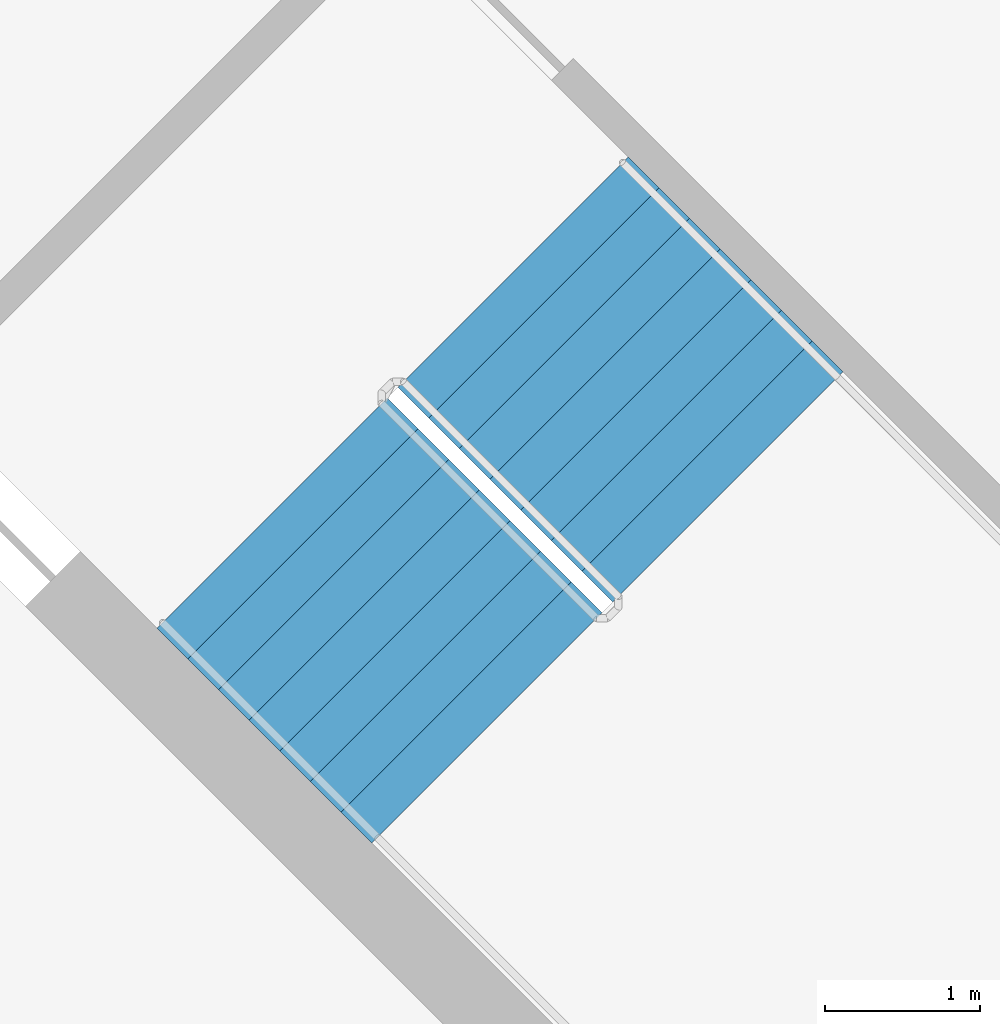
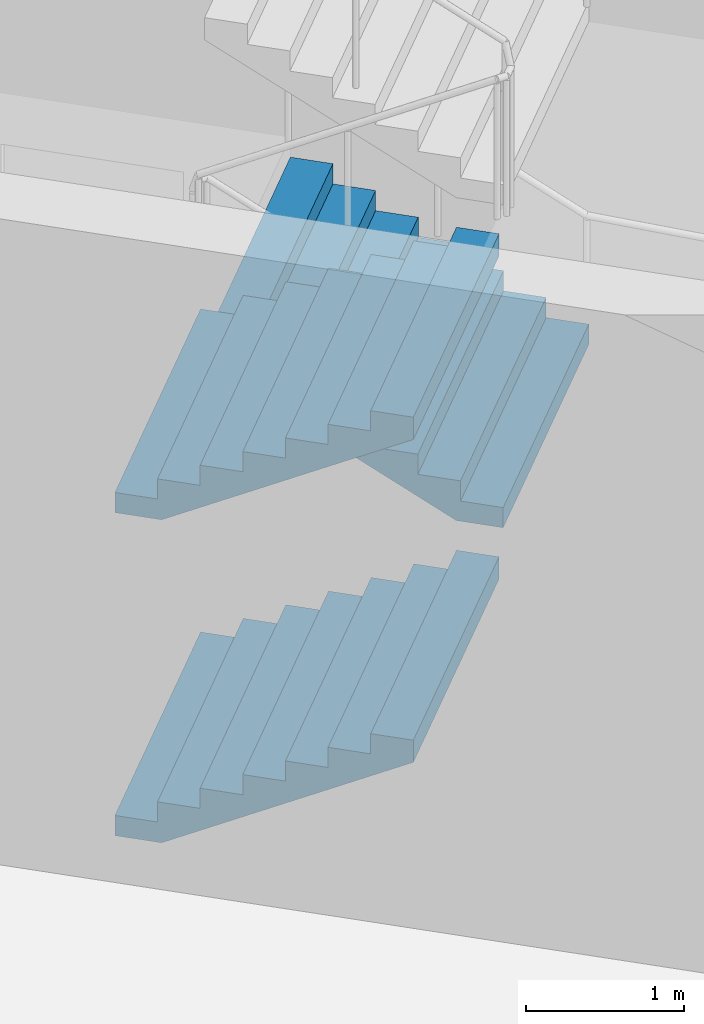
# One storey, part 12 of 17: 3 stair flights, 1 element without a shape of its own.
"""IFC4 building model written with IfcOpenShell, lengths in metres."""

from ifc_helpers import new_model, si_unit, direction, frame, origin, place, context, subcontext, project, spatial, triangles, material, type_object, element, aggregate, save


model = new_model("IFC4")

# Units and contexts
model_context = context("Model", 3, precision=1e-05, world=origin(), true_north=direction((0.0, 1.0)))
body_context = subcontext(model_context, "Body", "Model", "MODEL_VIEW")
ifc_project = project(units=[si_unit("LENGTHUNIT", "METRE"), si_unit("AREAUNIT", "SQUARE_METRE"), si_unit("VOLUMEUNIT", "CUBIC_METRE"), si_unit("PLANEANGLEUNIT", "RADIAN"), si_unit("MASSUNIT", "GRAM", prefix="KILO")], contexts=[model_context])

# Site, building, storey
site_placement = place(None, origin())
site = spatial("IfcSite", under=ifc_project, at=site_placement, CompositionType="ELEMENT")
building_placement = place(site_placement, origin())
building = spatial("IfcBuilding", under=site, at=building_placement, Name="Verdalira Terraces Hotel", CompositionType="ELEMENT")
storey_placement = place(building_placement, frame((0.0, 0.0, 222.0)))
storey = spatial("IfcBuildingStorey", under=building, at=storey_placement, Name="L54", CompositionType="ELEMENT", Elevation=222.0)

# Stair, stair flights
ifc_material_1 = material(Name="Concrete C40", Category="concrete")
stair_type = type_object("IfcStairType", Name="Core stair 32 risers 2100 mm wide", PredefinedType="HALF_TURN_STAIR", material=ifc_material_1)
stair_placement = place(storey_placement, origin())
stair = element("IfcStair", 1, at=stair_placement, inside=storey, type_object=stair_type, Name="L54 Exit stair ST2", PredefinedType="HALF_TURN_STAIR")
ifc_material_2 = material(Name="Concrete C40", Category="concrete")
stair_flight_type = type_object("IfcStairFlightType", Name="Core stair flight 32 risers 2100 mm wide", PredefinedType="STRAIGHT", material=ifc_material_2)
stair_flight_1_placement = place(storey_placement, frame((-10.076172, -7.530762, 0.0), z_axis=(0.0, 0.0, 1.0), x_axis=(0.707106781, -0.707106781, 0.0)))
stair_flight_1 = element("IfcStairFlight", 2, at=stair_flight_1_placement, type_object=stair_flight_type, Name="ST2 flight 1", NumberOfRisers=8, NumberOfTreads=7, PredefinedType="STRAIGHT", RiserHeight=0.15625, TreadLength=0.28, context=body_context, shape_type="Tessellation", body=[
    triangles([(0.0, 1.050049, 0.0), (0.307617, 1.050049, 0.0), (1.959961, 1.050049, 0.922119), (0.0, -1.050049, 0.0), (0.307617, -1.050049, 0.0), (1.959961, -1.050049, 0.922119), (1.959961, 1.050049, 1.09375), (1.679932, 1.050049, 1.09375), (1.959961, -1.050049, 1.09375), (1.679932, -1.050049, 1.09375), (1.679932, 1.050049, 0.9375), (1.679932, -1.050049, 0.9375), (1.399902, 1.050049, 0.9375), (1.399902, -1.050049, 0.9375), (1.399902, 1.050049, 0.78125), (1.399902, -1.050049, 0.78125), (1.120117, 1.050049, 0.78125), (1.120117, 1.050049, 0.625), (1.120117, -1.050049, 0.78125), (1.120117, -1.050049, 0.625), (0.840088, 1.050049, 0.625), (0.840088, 1.050049, 0.46875), (0.840088, -1.050049, 0.625), (0.840088, -1.050049, 0.46875), (0.560059, 1.050049, 0.46875), (0.560059, 1.050049, 0.3125), (0.560059, -1.050049, 0.46875), (0.560059, -1.050049, 0.3125), (0.280029, 1.050049, 0.3125), (0.280029, 1.050049, 0.15625), (0.280029, -1.050049, 0.3125), (0.280029, -1.050049, 0.15625), (0.0, 1.050049, 0.15625), (0.0, -1.050049, 0.15625), (0.0, -0.984421, 0.0), (0.0, -0.984421, 0.15625), (0.0, -0.918793, 0.0), (0.0, -0.918793, 0.15625), (0.0, -0.853165, 0.0), (0.0, -0.853165, 0.15625), (0.0, -0.787537, 0.0), (0.0, -0.787537, 0.15625), (0.0, -0.721909, 0.0), (0.0, -0.721909, 0.15625), (0.0, -0.656281, 0.0), (0.0, -0.656281, 0.15625), (0.0, -0.590652, 0.0), (0.0, -0.590652, 0.15625), (0.0, -0.525024, 0.0), (0.0, -0.525024, 0.15625), (0.0, -0.459396, 0.0), (0.0, -0.459396, 0.15625), (0.0, -0.393768, 0.0), (0.0, -0.393768, 0.15625), (0.0, -0.32814, 0.0), (0.0, -0.32814, 0.15625), (0.0, -0.262512, 0.0), (0.0, -0.262512, 0.15625), (0.0, -0.196884, 0.0), (0.0, -0.196884, 0.15625), (0.0, -0.131256, 0.0), (0.0, -0.131256, 0.15625), (0.0, -0.065628, 0.0), (0.0, -0.065628, 0.15625), (0.0, 0.0, 0.0), (0.0, 0.0, 0.15625), (0.0, 0.065628, 0.0), (0.0, 0.065628, 0.15625), (0.0, 0.131256, 0.0), (0.0, 0.131256, 0.15625), (0.0, 0.196884, 0.0), (0.0, 0.196884, 0.15625), (0.0, 0.262512, 0.0), (0.0, 0.262512, 0.15625), (0.0, 0.32814, 0.0), (0.0, 0.32814, 0.15625), (0.0, 0.393768, 0.0), (0.0, 0.393768, 0.15625), (0.0, 0.459396, 0.0), (0.0, 0.459396, 0.15625), (0.0, 0.525024, 0.0), (0.0, 0.525024, 0.15625), (0.0, 0.590652, 0.0), (0.0, 0.590652, 0.15625), (0.0, 0.656281, 0.0), (0.0, 0.656281, 0.15625), (0.0, 0.721909, 0.0), (0.0, 0.721909, 0.15625), (0.0, 0.787537, 0.0), (0.0, 0.787537, 0.15625), (0.0, 0.853165, 0.0), (0.0, 0.853165, 0.15625), (0.0, 0.918793, 0.0), (0.0, 0.918793, 0.15625), (0.0, 0.984421, 0.0), (0.0, 0.984421, 0.15625), (1.959961, -0.984421, 1.09375), (1.959961, -0.918793, 1.09375), (1.959961, -0.853165, 1.09375), (1.959961, -0.787537, 1.09375), (1.959961, -0.721909, 1.09375), (1.959961, -0.656281, 1.09375), (1.959961, -0.590652, 1.09375), (1.959961, -0.525024, 1.09375), (1.959961, -0.459396, 1.09375), (1.959961, -0.393768, 1.09375), (1.959961, -0.32814, 1.09375), (1.959961, -0.262512, 1.09375), (1.959961, -0.196884, 1.09375), (1.959961, -0.131256, 1.09375), (1.959961, -0.065628, 1.09375), (1.959961, 0.0, 1.09375), (1.959961, 0.065628, 1.09375), (1.959961, 0.131256, 1.09375), (1.959961, 0.196884, 1.09375), (1.959961, 0.262512, 1.09375), (1.959961, 0.32814, 1.09375), (1.959961, 0.393768, 1.09375), (1.959961, 0.459396, 1.09375), (1.959961, 0.525024, 1.09375), (1.959961, 0.590652, 1.09375), (1.959961, 0.656281, 1.09375), (1.959961, 0.721909, 1.09375), (1.959961, 0.787537, 1.09375), (1.959961, 0.853165, 1.09375), (1.959961, 0.918793, 1.09375), (1.959961, 0.984421, 1.09375), (1.959961, -0.984421, 0.922119), (1.959961, -0.918793, 0.922119), (1.959961, -0.853165, 0.922119), (1.959961, -0.787537, 0.922119), (1.959961, -0.721909, 0.922119), (1.959961, -0.656281, 0.922119), (1.959961, -0.590652, 0.922119), (1.959961, -0.525024, 0.922119), (1.959961, -0.459396, 0.922119), (1.959961, -0.393768, 0.922119), (1.959961, -0.32814, 0.922119), (1.959961, -0.262512, 0.922119), (1.959961, -0.196884, 0.922119), (1.959961, -0.131256, 0.922119), (1.959961, -0.065628, 0.922119), (1.959961, 0.0, 0.922119), (1.959961, 0.065628, 0.922119), (1.959961, 0.131256, 0.922119), (1.959961, 0.196884, 0.922119), (1.959961, 0.262512, 0.922119), (1.959961, 0.32814, 0.922119), (1.959961, 0.393768, 0.922119), (1.959961, 0.459396, 0.922119), (1.959961, 0.525024, 0.922119), (1.959961, 0.590652, 0.922119), (1.959961, 0.656281, 0.922119), (1.959961, 0.721909, 0.922119), (1.959961, 0.787537, 0.922119), (1.959961, 0.853165, 0.922119), (1.959961, 0.918793, 0.922119), (1.959961, 0.984421, 0.922119)], [[1, 3, 2], [4, 5, 6], [3, 8, 7], [6, 9, 10], [3, 11, 8], [6, 10, 12], [3, 13, 11], [6, 12, 14], [3, 15, 13], [6, 14, 16], [15, 18, 17], [16, 19, 20], [3, 18, 15], [6, 16, 20], [18, 22, 21], [20, 23, 24], [3, 22, 18], [6, 20, 24], [22, 26, 25], [24, 27, 28], [3, 26, 22], [6, 24, 28], [26, 30, 29], [28, 31, 32], [3, 30, 26], [6, 28, 32], [1, 30, 3], [4, 6, 32], [30, 1, 33], [32, 34, 4], [4, 36, 35], [4, 34, 36], [35, 38, 37], [35, 36, 38], [37, 40, 39], [37, 38, 40], [39, 42, 41], [39, 40, 42], [41, 44, 43], [41, 42, 44], [43, 46, 45], [43, 44, 46], [45, 48, 47], [45, 46, 48], [47, 50, 49], [47, 48, 50], [49, 52, 51], [49, 50, 52], [51, 54, 53], [51, 52, 54], [53, 56, 55], [53, 54, 56], [55, 58, 57], [55, 56, 58], [57, 60, 59], [57, 58, 60], [59, 62, 61], [59, 60, 62], [61, 64, 63], [61, 62, 64], [63, 66, 65], [63, 64, 66], [65, 68, 67], [65, 66, 68], [67, 70, 69], [67, 68, 70], [69, 72, 71], [69, 70, 72], [71, 74, 73], [71, 72, 74], [73, 76, 75], [73, 74, 76], [75, 78, 77], [75, 76, 78], [77, 80, 79], [77, 78, 80], [79, 82, 81], [79, 80, 82], [81, 84, 83], [81, 82, 84], [83, 86, 85], [83, 84, 86], [85, 88, 87], [85, 86, 88], [87, 90, 89], [87, 88, 90], [89, 92, 91], [89, 90, 92], [91, 94, 93], [91, 92, 94], [93, 96, 95], [93, 94, 96], [95, 33, 1], [95, 96, 33], [34, 32, 36], [36, 32, 38], [38, 32, 40], [40, 32, 42], [42, 32, 44], [44, 32, 46], [46, 32, 48], [48, 32, 50], [50, 32, 52], [52, 32, 54], [54, 32, 56], [56, 32, 58], [58, 32, 60], [60, 32, 62], [62, 32, 64], [64, 32, 66], [66, 32, 68], [68, 32, 70], [70, 32, 72], [72, 32, 74], [74, 32, 76], [76, 32, 78], [78, 32, 80], [80, 32, 82], [82, 32, 84], [84, 32, 86], [86, 32, 88], [88, 32, 90], [90, 32, 92], [92, 32, 94], [94, 32, 96], [96, 32, 33], [33, 32, 30], [32, 29, 30], [32, 31, 29], [31, 26, 29], [31, 28, 26], [28, 25, 26], [28, 27, 25], [27, 22, 25], [27, 24, 22], [24, 21, 22], [24, 23, 21], [23, 18, 21], [23, 20, 18], [20, 17, 18], [20, 19, 17], [19, 15, 17], [19, 16, 15], [16, 13, 15], [16, 14, 13], [14, 11, 13], [14, 12, 11], [12, 8, 11], [12, 10, 8], [9, 97, 10], [97, 98, 10], [98, 99, 10], [99, 100, 10], [100, 101, 10], [101, 102, 10], [102, 103, 10], [103, 104, 10], [104, 105, 10], [105, 106, 10], [106, 107, 10], [107, 108, 10], [108, 109, 10], [109, 110, 10], [110, 111, 10], [111, 112, 10], [112, 113, 10], [113, 114, 10], [114, 115, 10], [115, 116, 10], [116, 117, 10], [117, 118, 10], [118, 119, 10], [119, 120, 10], [120, 121, 10], [121, 122, 10], [122, 123, 10], [123, 124, 10], [124, 125, 10], [125, 126, 10], [126, 127, 10], [127, 7, 10], [7, 8, 10], [9, 128, 97], [9, 6, 128], [97, 129, 98], [97, 128, 129], [98, 130, 99], [98, 129, 130], [99, 131, 100], [99, 130, 131], [100, 132, 101], [100, 131, 132], [101, 133, 102], [101, 132, 133], [102, 134, 103], [102, 133, 134], [103, 135, 104], [103, 134, 135], [104, 136, 105], [104, 135, 136], [105, 137, 106], [105, 136, 137], [106, 138, 107], [106, 137, 138], [107, 139, 108], [107, 138, 139], [108, 140, 109], [108, 139, 140], [109, 141, 110], [109, 140, 141], [110, 142, 111], [110, 141, 142], [111, 143, 112], [111, 142, 143], [112, 144, 113], [112, 143, 144], [113, 145, 114], [113, 144, 145], [114, 146, 115], [114, 145, 146], [115, 147, 116], [115, 146, 147], [116, 148, 117], [116, 147, 148], [117, 149, 118], [117, 148, 149], [118, 150, 119], [118, 149, 150], [119, 151, 120], [119, 150, 151], [120, 152, 121], [120, 151, 152], [121, 153, 122], [121, 152, 153], [122, 154, 123], [122, 153, 154], [123, 155, 124], [123, 154, 155], [124, 156, 125], [124, 155, 156], [125, 157, 126], [125, 156, 157], [126, 158, 127], [126, 157, 158], [127, 3, 7], [127, 158, 3], [6, 5, 128], [128, 5, 129], [129, 5, 130], [130, 5, 131], [131, 5, 132], [132, 5, 133], [133, 5, 134], [134, 5, 135], [135, 5, 136], [136, 5, 137], [137, 5, 138], [138, 5, 139], [139, 5, 140], [140, 5, 141], [141, 5, 142], [142, 5, 143], [143, 5, 144], [144, 5, 145], [145, 5, 146], [146, 5, 147], [147, 5, 148], [148, 5, 149], [149, 5, 150], [150, 5, 151], [151, 5, 152], [152, 5, 153], [153, 5, 154], [154, 5, 155], [155, 5, 156], [156, 5, 157], [157, 5, 158], [158, 5, 3], [3, 5, 2], [4, 35, 5], [35, 37, 5], [37, 39, 5], [39, 41, 5], [41, 43, 5], [43, 45, 5], [45, 47, 5], [47, 49, 5], [49, 51, 5], [51, 53, 5], [53, 55, 5], [55, 57, 5], [57, 59, 5], [59, 61, 5], [61, 63, 5], [63, 65, 5], [65, 67, 5], [67, 69, 5], [69, 71, 5], [71, 73, 5], [73, 75, 5], [75, 77, 5], [77, 79, 5], [79, 81, 5], [81, 83, 5], [83, 85, 5], [85, 87, 5], [87, 89, 5], [89, 91, 5], [91, 93, 5], [93, 95, 5], [95, 1, 5], [1, 2, 5]], closed=True),
])
stair_flight_2_placement = place(storey_placement, frame((-7.134766, -7.361084, 1.25), z_axis=(0.0, 0.0, 1.0), x_axis=(-0.707106781, 0.707106781, 0.0)))
stair_flight_2 = element("IfcStairFlight", 3, at=stair_flight_2_placement, type_object=stair_flight_type, Name="ST2 flight 2", NumberOfRisers=8, NumberOfTreads=7, PredefinedType="STRAIGHT", RiserHeight=0.15625, TreadLength=0.28, context=body_context, shape_type="Tessellation", body=[
    triangles([(0.0, 1.050049, 0.0), (0.307617, 1.050049, 0.0), (1.959961, 1.050049, 0.922119), (0.0, -1.050049, 0.0), (0.307617, -1.050049, 0.0), (1.959961, -1.050049, 0.922119), (1.959961, 1.050049, 1.09375), (1.679932, 1.050049, 1.09375), (1.959961, -1.050049, 1.09375), (1.679932, -1.050049, 1.09375), (1.679932, 1.050049, 0.9375), (1.679932, -1.050049, 0.9375), (1.399902, 1.050049, 0.9375), (1.399902, -1.050049, 0.9375), (1.399902, 1.050049, 0.78125), (1.399902, -1.050049, 0.78125), (1.120117, 1.050049, 0.78125), (1.120117, 1.050049, 0.625), (1.120117, -1.050049, 0.78125), (1.120117, -1.050049, 0.625), (0.840088, 1.050049, 0.625), (0.840088, 1.050049, 0.46875), (0.840088, -1.050049, 0.625), (0.840088, -1.050049, 0.46875), (0.560059, 1.050049, 0.46875), (0.560059, 1.050049, 0.3125), (0.560059, -1.050049, 0.46875), (0.560059, -1.050049, 0.3125), (0.280029, 1.050049, 0.3125), (0.280029, 1.050049, 0.15625), (0.280029, -1.050049, 0.3125), (0.280029, -1.050049, 0.15625), (0.0, 1.050049, 0.15625), (0.0, -1.050049, 0.15625), (0.0, -0.984421, 0.0), (0.0, -0.984421, 0.15625), (0.0, -0.918793, 0.0), (0.0, -0.918793, 0.15625), (0.0, -0.853165, 0.0), (0.0, -0.853165, 0.15625), (0.0, -0.787537, 0.0), (0.0, -0.787537, 0.15625), (0.0, -0.721909, 0.0), (0.0, -0.721909, 0.15625), (0.0, -0.656281, 0.0), (0.0, -0.656281, 0.15625), (0.0, -0.590652, 0.0), (0.0, -0.590652, 0.15625), (0.0, -0.525024, 0.0), (0.0, -0.525024, 0.15625), (0.0, -0.459396, 0.0), (0.0, -0.459396, 0.15625), (0.0, -0.393768, 0.0), (0.0, -0.393768, 0.15625), (0.0, -0.32814, 0.0), (0.0, -0.32814, 0.15625), (0.0, -0.262512, 0.0), (0.0, -0.262512, 0.15625), (0.0, -0.196884, 0.0), (0.0, -0.196884, 0.15625), (0.0, -0.131256, 0.0), (0.0, -0.131256, 0.15625), (0.0, -0.065628, 0.0), (0.0, -0.065628, 0.15625), (0.0, 0.0, 0.0), (0.0, 0.0, 0.15625), (0.0, 0.065628, 0.0), (0.0, 0.065628, 0.15625), (0.0, 0.131256, 0.0), (0.0, 0.131256, 0.15625), (0.0, 0.196884, 0.0), (0.0, 0.196884, 0.15625), (0.0, 0.262512, 0.0), (0.0, 0.262512, 0.15625), (0.0, 0.32814, 0.0), (0.0, 0.32814, 0.15625), (0.0, 0.393768, 0.0), (0.0, 0.393768, 0.15625), (0.0, 0.459396, 0.0), (0.0, 0.459396, 0.15625), (0.0, 0.525024, 0.0), (0.0, 0.525024, 0.15625), (0.0, 0.590652, 0.0), (0.0, 0.590652, 0.15625), (0.0, 0.656281, 0.0), (0.0, 0.656281, 0.15625), (0.0, 0.721909, 0.0), (0.0, 0.721909, 0.15625), (0.0, 0.787537, 0.0), (0.0, 0.787537, 0.15625), (0.0, 0.853165, 0.0), (0.0, 0.853165, 0.15625), (0.0, 0.918793, 0.0), (0.0, 0.918793, 0.15625), (0.0, 0.984421, 0.0), (0.0, 0.984421, 0.15625), (1.959961, -0.984421, 1.09375), (1.959961, -0.918793, 1.09375), (1.959961, -0.853165, 1.09375), (1.959961, -0.787537, 1.09375), (1.959961, -0.721909, 1.09375), (1.959961, -0.656281, 1.09375), (1.959961, -0.590652, 1.09375), (1.959961, -0.525024, 1.09375), (1.959961, -0.459396, 1.09375), (1.959961, -0.393768, 1.09375), (1.959961, -0.32814, 1.09375), (1.959961, -0.262512, 1.09375), (1.959961, -0.196884, 1.09375), (1.959961, -0.131256, 1.09375), (1.959961, -0.065628, 1.09375), (1.959961, 0.0, 1.09375), (1.959961, 0.065628, 1.09375), (1.959961, 0.131256, 1.09375), (1.959961, 0.196884, 1.09375), (1.959961, 0.262512, 1.09375), (1.959961, 0.32814, 1.09375), (1.959961, 0.393768, 1.09375), (1.959961, 0.459396, 1.09375), (1.959961, 0.525024, 1.09375), (1.959961, 0.590652, 1.09375), (1.959961, 0.656281, 1.09375), (1.959961, 0.721909, 1.09375), (1.959961, 0.787537, 1.09375), (1.959961, 0.853165, 1.09375), (1.959961, 0.918793, 1.09375), (1.959961, 0.984421, 1.09375), (1.959961, -0.984421, 0.922119), (1.959961, -0.918793, 0.922119), (1.959961, -0.853165, 0.922119), (1.959961, -0.787537, 0.922119), (1.959961, -0.721909, 0.922119), (1.959961, -0.656281, 0.922119), (1.959961, -0.590652, 0.922119), (1.959961, -0.525024, 0.922119), (1.959961, -0.459396, 0.922119), (1.959961, -0.393768, 0.922119), (1.959961, -0.32814, 0.922119), (1.959961, -0.262512, 0.922119), (1.959961, -0.196884, 0.922119), (1.959961, -0.131256, 0.922119), (1.959961, -0.065628, 0.922119), (1.959961, 0.0, 0.922119), (1.959961, 0.065628, 0.922119), (1.959961, 0.131256, 0.922119), (1.959961, 0.196884, 0.922119), (1.959961, 0.262512, 0.922119), (1.959961, 0.32814, 0.922119), (1.959961, 0.393768, 0.922119), (1.959961, 0.459396, 0.922119), (1.959961, 0.525024, 0.922119), (1.959961, 0.590652, 0.922119), (1.959961, 0.656281, 0.922119), (1.959961, 0.721909, 0.922119), (1.959961, 0.787537, 0.922119), (1.959961, 0.853165, 0.922119), (1.959961, 0.918793, 0.922119), (1.959961, 0.984421, 0.922119)], [[1, 3, 2], [4, 5, 6], [3, 8, 7], [6, 9, 10], [3, 11, 8], [6, 10, 12], [3, 13, 11], [6, 12, 14], [3, 15, 13], [6, 14, 16], [15, 18, 17], [16, 19, 20], [3, 18, 15], [6, 16, 20], [18, 22, 21], [20, 23, 24], [3, 22, 18], [6, 20, 24], [22, 26, 25], [24, 27, 28], [3, 26, 22], [6, 24, 28], [26, 30, 29], [28, 31, 32], [3, 30, 26], [6, 28, 32], [1, 30, 3], [4, 6, 32], [30, 1, 33], [32, 34, 4], [4, 36, 35], [4, 34, 36], [35, 38, 37], [35, 36, 38], [37, 40, 39], [37, 38, 40], [39, 42, 41], [39, 40, 42], [41, 44, 43], [41, 42, 44], [43, 46, 45], [43, 44, 46], [45, 48, 47], [45, 46, 48], [47, 50, 49], [47, 48, 50], [49, 52, 51], [49, 50, 52], [51, 54, 53], [51, 52, 54], [53, 56, 55], [53, 54, 56], [55, 58, 57], [55, 56, 58], [57, 60, 59], [57, 58, 60], [59, 62, 61], [59, 60, 62], [61, 64, 63], [61, 62, 64], [63, 66, 65], [63, 64, 66], [65, 68, 67], [65, 66, 68], [67, 70, 69], [67, 68, 70], [69, 72, 71], [69, 70, 72], [71, 74, 73], [71, 72, 74], [73, 76, 75], [73, 74, 76], [75, 78, 77], [75, 76, 78], [77, 80, 79], [77, 78, 80], [79, 82, 81], [79, 80, 82], [81, 84, 83], [81, 82, 84], [83, 86, 85], [83, 84, 86], [85, 88, 87], [85, 86, 88], [87, 90, 89], [87, 88, 90], [89, 92, 91], [89, 90, 92], [91, 94, 93], [91, 92, 94], [93, 96, 95], [93, 94, 96], [95, 33, 1], [95, 96, 33], [34, 32, 36], [36, 32, 38], [38, 32, 40], [40, 32, 42], [42, 32, 44], [44, 32, 46], [46, 32, 48], [48, 32, 50], [50, 32, 52], [52, 32, 54], [54, 32, 56], [56, 32, 58], [58, 32, 60], [60, 32, 62], [62, 32, 64], [64, 32, 66], [66, 32, 68], [68, 32, 70], [70, 32, 72], [72, 32, 74], [74, 32, 76], [76, 32, 78], [78, 32, 80], [80, 32, 82], [82, 32, 84], [84, 32, 86], [86, 32, 88], [88, 32, 90], [90, 32, 92], [92, 32, 94], [94, 32, 96], [96, 32, 33], [33, 32, 30], [32, 29, 30], [32, 31, 29], [31, 26, 29], [31, 28, 26], [28, 25, 26], [28, 27, 25], [27, 22, 25], [27, 24, 22], [24, 21, 22], [24, 23, 21], [23, 18, 21], [23, 20, 18], [20, 17, 18], [20, 19, 17], [19, 15, 17], [19, 16, 15], [16, 13, 15], [16, 14, 13], [14, 11, 13], [14, 12, 11], [12, 8, 11], [12, 10, 8], [9, 97, 10], [97, 98, 10], [98, 99, 10], [99, 100, 10], [100, 101, 10], [101, 102, 10], [102, 103, 10], [103, 104, 10], [104, 105, 10], [105, 106, 10], [106, 107, 10], [107, 108, 10], [108, 109, 10], [109, 110, 10], [110, 111, 10], [111, 112, 10], [112, 113, 10], [113, 114, 10], [114, 115, 10], [115, 116, 10], [116, 117, 10], [117, 118, 10], [118, 119, 10], [119, 120, 10], [120, 121, 10], [121, 122, 10], [122, 123, 10], [123, 124, 10], [124, 125, 10], [125, 126, 10], [126, 127, 10], [127, 7, 10], [7, 8, 10], [9, 128, 97], [9, 6, 128], [97, 129, 98], [97, 128, 129], [98, 130, 99], [98, 129, 130], [99, 131, 100], [99, 130, 131], [100, 132, 101], [100, 131, 132], [101, 133, 102], [101, 132, 133], [102, 134, 103], [102, 133, 134], [103, 135, 104], [103, 134, 135], [104, 136, 105], [104, 135, 136], [105, 137, 106], [105, 136, 137], [106, 138, 107], [106, 137, 138], [107, 139, 108], [107, 138, 139], [108, 140, 109], [108, 139, 140], [109, 141, 110], [109, 140, 141], [110, 142, 111], [110, 141, 142], [111, 143, 112], [111, 142, 143], [112, 144, 113], [112, 143, 144], [113, 145, 114], [113, 144, 145], [114, 146, 115], [114, 145, 146], [115, 147, 116], [115, 146, 147], [116, 148, 117], [116, 147, 148], [117, 149, 118], [117, 148, 149], [118, 150, 119], [118, 149, 150], [119, 151, 120], [119, 150, 151], [120, 152, 121], [120, 151, 152], [121, 153, 122], [121, 152, 153], [122, 154, 123], [122, 153, 154], [123, 155, 124], [123, 154, 155], [124, 156, 125], [124, 155, 156], [125, 157, 126], [125, 156, 157], [126, 158, 127], [126, 157, 158], [127, 3, 7], [127, 158, 3], [6, 5, 128], [128, 5, 129], [129, 5, 130], [130, 5, 131], [131, 5, 132], [132, 5, 133], [133, 5, 134], [134, 5, 135], [135, 5, 136], [136, 5, 137], [137, 5, 138], [138, 5, 139], [139, 5, 140], [140, 5, 141], [141, 5, 142], [142, 5, 143], [143, 5, 144], [144, 5, 145], [145, 5, 146], [146, 5, 147], [147, 5, 148], [148, 5, 149], [149, 5, 150], [150, 5, 151], [151, 5, 152], [152, 5, 153], [153, 5, 154], [154, 5, 155], [155, 5, 156], [156, 5, 157], [157, 5, 158], [158, 5, 3], [3, 5, 2], [4, 35, 5], [35, 37, 5], [37, 39, 5], [39, 41, 5], [41, 43, 5], [43, 45, 5], [45, 47, 5], [47, 49, 5], [49, 51, 5], [51, 53, 5], [53, 55, 5], [55, 57, 5], [57, 59, 5], [59, 61, 5], [61, 63, 5], [63, 65, 5], [65, 67, 5], [67, 69, 5], [69, 71, 5], [71, 73, 5], [73, 75, 5], [75, 77, 5], [77, 79, 5], [79, 81, 5], [81, 83, 5], [83, 85, 5], [85, 87, 5], [87, 89, 5], [89, 91, 5], [91, 93, 5], [93, 95, 5], [95, 1, 5], [1, 2, 5]], closed=True),
])
stair_flight_3_placement = place(storey_placement, frame((-10.076172, -7.530762, 2.5), z_axis=(0.0, 0.0, 1.0), x_axis=(0.707106781, -0.707106781, 0.0)))
stair_flight_3 = element("IfcStairFlight", 4, at=stair_flight_3_placement, type_object=stair_flight_type, Name="ST2 flight 3", NumberOfRisers=8, NumberOfTreads=7, PredefinedType="STRAIGHT", RiserHeight=0.15625, TreadLength=0.28, context=body_context, shape_type="Tessellation", body=[
    triangles([(0.0, 1.050049, 0.0), (0.307617, 1.050049, 0.0), (1.959961, 1.050049, 0.922119), (0.0, -1.050049, 0.0), (0.307617, -1.050049, 0.0), (1.959961, -1.050049, 0.922119), (1.959961, 1.050049, 1.09375), (1.679932, 1.050049, 1.09375), (1.959961, -1.050049, 1.09375), (1.679932, -1.050049, 1.09375), (1.679932, 1.050049, 0.9375), (1.679932, -1.050049, 0.9375), (1.399902, 1.050049, 0.9375), (1.399902, -1.050049, 0.9375), (1.399902, 1.050049, 0.78125), (1.399902, -1.050049, 0.78125), (1.120117, 1.050049, 0.78125), (1.120117, 1.050049, 0.625), (1.120117, -1.050049, 0.78125), (1.120117, -1.050049, 0.625), (0.840088, 1.050049, 0.625), (0.840088, 1.050049, 0.46875), (0.840088, -1.050049, 0.625), (0.840088, -1.050049, 0.46875), (0.560059, 1.050049, 0.46875), (0.560059, 1.050049, 0.3125), (0.560059, -1.050049, 0.46875), (0.560059, -1.050049, 0.3125), (0.280029, 1.050049, 0.3125), (0.280029, 1.050049, 0.15625), (0.280029, -1.050049, 0.3125), (0.280029, -1.050049, 0.15625), (0.0, 1.050049, 0.15625), (0.0, -1.050049, 0.15625), (0.0, -0.984421, 0.0), (0.0, -0.984421, 0.15625), (0.0, -0.918793, 0.0), (0.0, -0.918793, 0.15625), (0.0, -0.853165, 0.0), (0.0, -0.853165, 0.15625), (0.0, -0.787537, 0.0), (0.0, -0.787537, 0.15625), (0.0, -0.721909, 0.0), (0.0, -0.721909, 0.15625), (0.0, -0.656281, 0.0), (0.0, -0.656281, 0.15625), (0.0, -0.590652, 0.0), (0.0, -0.590652, 0.15625), (0.0, -0.525024, 0.0), (0.0, -0.525024, 0.15625), (0.0, -0.459396, 0.0), (0.0, -0.459396, 0.15625), (0.0, -0.393768, 0.0), (0.0, -0.393768, 0.15625), (0.0, -0.32814, 0.0), (0.0, -0.32814, 0.15625), (0.0, -0.262512, 0.0), (0.0, -0.262512, 0.15625), (0.0, -0.196884, 0.0), (0.0, -0.196884, 0.15625), (0.0, -0.131256, 0.0), (0.0, -0.131256, 0.15625), (0.0, -0.065628, 0.0), (0.0, -0.065628, 0.15625), (0.0, 0.0, 0.0), (0.0, 0.0, 0.15625), (0.0, 0.065628, 0.0), (0.0, 0.065628, 0.15625), (0.0, 0.131256, 0.0), (0.0, 0.131256, 0.15625), (0.0, 0.196884, 0.0), (0.0, 0.196884, 0.15625), (0.0, 0.262512, 0.0), (0.0, 0.262512, 0.15625), (0.0, 0.32814, 0.0), (0.0, 0.32814, 0.15625), (0.0, 0.393768, 0.0), (0.0, 0.393768, 0.15625), (0.0, 0.459396, 0.0), (0.0, 0.459396, 0.15625), (0.0, 0.525024, 0.0), (0.0, 0.525024, 0.15625), (0.0, 0.590652, 0.0), (0.0, 0.590652, 0.15625), (0.0, 0.656281, 0.0), (0.0, 0.656281, 0.15625), (0.0, 0.721909, 0.0), (0.0, 0.721909, 0.15625), (0.0, 0.787537, 0.0), (0.0, 0.787537, 0.15625), (0.0, 0.853165, 0.0), (0.0, 0.853165, 0.15625), (0.0, 0.918793, 0.0), (0.0, 0.918793, 0.15625), (0.0, 0.984421, 0.0), (0.0, 0.984421, 0.15625), (1.959961, -0.984421, 1.09375), (1.959961, -0.918793, 1.09375), (1.959961, -0.853165, 1.09375), (1.959961, -0.787537, 1.09375), (1.959961, -0.721909, 1.09375), (1.959961, -0.656281, 1.09375), (1.959961, -0.590652, 1.09375), (1.959961, -0.525024, 1.09375), (1.959961, -0.459396, 1.09375), (1.959961, -0.393768, 1.09375), (1.959961, -0.32814, 1.09375), (1.959961, -0.262512, 1.09375), (1.959961, -0.196884, 1.09375), (1.959961, -0.131256, 1.09375), (1.959961, -0.065628, 1.09375), (1.959961, 0.0, 1.09375), (1.959961, 0.065628, 1.09375), (1.959961, 0.131256, 1.09375), (1.959961, 0.196884, 1.09375), (1.959961, 0.262512, 1.09375), (1.959961, 0.32814, 1.09375), (1.959961, 0.393768, 1.09375), (1.959961, 0.459396, 1.09375), (1.959961, 0.525024, 1.09375), (1.959961, 0.590652, 1.09375), (1.959961, 0.656281, 1.09375), (1.959961, 0.721909, 1.09375), (1.959961, 0.787537, 1.09375), (1.959961, 0.853165, 1.09375), (1.959961, 0.918793, 1.09375), (1.959961, 0.984421, 1.09375), (1.959961, -0.984421, 0.922119), (1.959961, -0.918793, 0.922119), (1.959961, -0.853165, 0.922119), (1.959961, -0.787537, 0.922119), (1.959961, -0.721909, 0.922119), (1.959961, -0.656281, 0.922119), (1.959961, -0.590652, 0.922119), (1.959961, -0.525024, 0.922119), (1.959961, -0.459396, 0.922119), (1.959961, -0.393768, 0.922119), (1.959961, -0.32814, 0.922119), (1.959961, -0.262512, 0.922119), (1.959961, -0.196884, 0.922119), (1.959961, -0.131256, 0.922119), (1.959961, -0.065628, 0.922119), (1.959961, 0.0, 0.922119), (1.959961, 0.065628, 0.922119), (1.959961, 0.131256, 0.922119), (1.959961, 0.196884, 0.922119), (1.959961, 0.262512, 0.922119), (1.959961, 0.32814, 0.922119), (1.959961, 0.393768, 0.922119), (1.959961, 0.459396, 0.922119), (1.959961, 0.525024, 0.922119), (1.959961, 0.590652, 0.922119), (1.959961, 0.656281, 0.922119), (1.959961, 0.721909, 0.922119), (1.959961, 0.787537, 0.922119), (1.959961, 0.853165, 0.922119), (1.959961, 0.918793, 0.922119), (1.959961, 0.984421, 0.922119)], [[1, 3, 2], [4, 5, 6], [3, 8, 7], [6, 9, 10], [3, 11, 8], [6, 10, 12], [3, 13, 11], [6, 12, 14], [3, 15, 13], [6, 14, 16], [15, 18, 17], [16, 19, 20], [3, 18, 15], [6, 16, 20], [18, 22, 21], [20, 23, 24], [3, 22, 18], [6, 20, 24], [22, 26, 25], [24, 27, 28], [3, 26, 22], [6, 24, 28], [26, 30, 29], [28, 31, 32], [3, 30, 26], [6, 28, 32], [1, 30, 3], [4, 6, 32], [30, 1, 33], [32, 34, 4], [4, 36, 35], [4, 34, 36], [35, 38, 37], [35, 36, 38], [37, 40, 39], [37, 38, 40], [39, 42, 41], [39, 40, 42], [41, 44, 43], [41, 42, 44], [43, 46, 45], [43, 44, 46], [45, 48, 47], [45, 46, 48], [47, 50, 49], [47, 48, 50], [49, 52, 51], [49, 50, 52], [51, 54, 53], [51, 52, 54], [53, 56, 55], [53, 54, 56], [55, 58, 57], [55, 56, 58], [57, 60, 59], [57, 58, 60], [59, 62, 61], [59, 60, 62], [61, 64, 63], [61, 62, 64], [63, 66, 65], [63, 64, 66], [65, 68, 67], [65, 66, 68], [67, 70, 69], [67, 68, 70], [69, 72, 71], [69, 70, 72], [71, 74, 73], [71, 72, 74], [73, 76, 75], [73, 74, 76], [75, 78, 77], [75, 76, 78], [77, 80, 79], [77, 78, 80], [79, 82, 81], [79, 80, 82], [81, 84, 83], [81, 82, 84], [83, 86, 85], [83, 84, 86], [85, 88, 87], [85, 86, 88], [87, 90, 89], [87, 88, 90], [89, 92, 91], [89, 90, 92], [91, 94, 93], [91, 92, 94], [93, 96, 95], [93, 94, 96], [95, 33, 1], [95, 96, 33], [34, 32, 36], [36, 32, 38], [38, 32, 40], [40, 32, 42], [42, 32, 44], [44, 32, 46], [46, 32, 48], [48, 32, 50], [50, 32, 52], [52, 32, 54], [54, 32, 56], [56, 32, 58], [58, 32, 60], [60, 32, 62], [62, 32, 64], [64, 32, 66], [66, 32, 68], [68, 32, 70], [70, 32, 72], [72, 32, 74], [74, 32, 76], [76, 32, 78], [78, 32, 80], [80, 32, 82], [82, 32, 84], [84, 32, 86], [86, 32, 88], [88, 32, 90], [90, 32, 92], [92, 32, 94], [94, 32, 96], [96, 32, 33], [33, 32, 30], [32, 29, 30], [32, 31, 29], [31, 26, 29], [31, 28, 26], [28, 25, 26], [28, 27, 25], [27, 22, 25], [27, 24, 22], [24, 21, 22], [24, 23, 21], [23, 18, 21], [23, 20, 18], [20, 17, 18], [20, 19, 17], [19, 15, 17], [19, 16, 15], [16, 13, 15], [16, 14, 13], [14, 11, 13], [14, 12, 11], [12, 8, 11], [12, 10, 8], [9, 97, 10], [97, 98, 10], [98, 99, 10], [99, 100, 10], [100, 101, 10], [101, 102, 10], [102, 103, 10], [103, 104, 10], [104, 105, 10], [105, 106, 10], [106, 107, 10], [107, 108, 10], [108, 109, 10], [109, 110, 10], [110, 111, 10], [111, 112, 10], [112, 113, 10], [113, 114, 10], [114, 115, 10], [115, 116, 10], [116, 117, 10], [117, 118, 10], [118, 119, 10], [119, 120, 10], [120, 121, 10], [121, 122, 10], [122, 123, 10], [123, 124, 10], [124, 125, 10], [125, 126, 10], [126, 127, 10], [127, 7, 10], [7, 8, 10], [9, 128, 97], [9, 6, 128], [97, 129, 98], [97, 128, 129], [98, 130, 99], [98, 129, 130], [99, 131, 100], [99, 130, 131], [100, 132, 101], [100, 131, 132], [101, 133, 102], [101, 132, 133], [102, 134, 103], [102, 133, 134], [103, 135, 104], [103, 134, 135], [104, 136, 105], [104, 135, 136], [105, 137, 106], [105, 136, 137], [106, 138, 107], [106, 137, 138], [107, 139, 108], [107, 138, 139], [108, 140, 109], [108, 139, 140], [109, 141, 110], [109, 140, 141], [110, 142, 111], [110, 141, 142], [111, 143, 112], [111, 142, 143], [112, 144, 113], [112, 143, 144], [113, 145, 114], [113, 144, 145], [114, 146, 115], [114, 145, 146], [115, 147, 116], [115, 146, 147], [116, 148, 117], [116, 147, 148], [117, 149, 118], [117, 148, 149], [118, 150, 119], [118, 149, 150], [119, 151, 120], [119, 150, 151], [120, 152, 121], [120, 151, 152], [121, 153, 122], [121, 152, 153], [122, 154, 123], [122, 153, 154], [123, 155, 124], [123, 154, 155], [124, 156, 125], [124, 155, 156], [125, 157, 126], [125, 156, 157], [126, 158, 127], [126, 157, 158], [127, 3, 7], [127, 158, 3], [6, 5, 128], [128, 5, 129], [129, 5, 130], [130, 5, 131], [131, 5, 132], [132, 5, 133], [133, 5, 134], [134, 5, 135], [135, 5, 136], [136, 5, 137], [137, 5, 138], [138, 5, 139], [139, 5, 140], [140, 5, 141], [141, 5, 142], [142, 5, 143], [143, 5, 144], [144, 5, 145], [145, 5, 146], [146, 5, 147], [147, 5, 148], [148, 5, 149], [149, 5, 150], [150, 5, 151], [151, 5, 152], [152, 5, 153], [153, 5, 154], [154, 5, 155], [155, 5, 156], [156, 5, 157], [157, 5, 158], [158, 5, 3], [3, 5, 2], [4, 35, 5], [35, 37, 5], [37, 39, 5], [39, 41, 5], [41, 43, 5], [43, 45, 5], [45, 47, 5], [47, 49, 5], [49, 51, 5], [51, 53, 5], [53, 55, 5], [55, 57, 5], [57, 59, 5], [59, 61, 5], [61, 63, 5], [63, 65, 5], [65, 67, 5], [67, 69, 5], [69, 71, 5], [71, 73, 5], [73, 75, 5], [75, 77, 5], [77, 79, 5], [79, 81, 5], [81, 83, 5], [83, 85, 5], [85, 87, 5], [87, 89, 5], [89, 91, 5], [91, 93, 5], [93, 95, 5], [95, 1, 5], [1, 2, 5]], closed=True),
])
aggregate(stair, [stair_flight_1, stair_flight_2, stair_flight_3])

save(model, "model.ifc")
